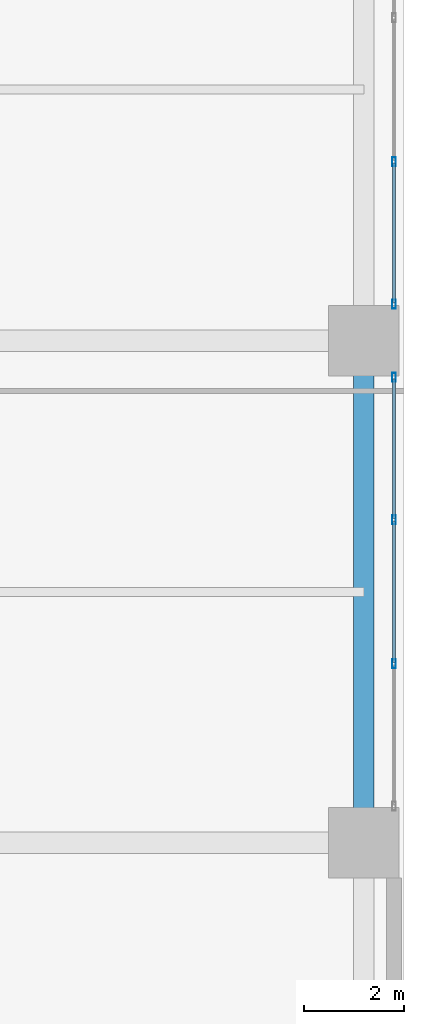
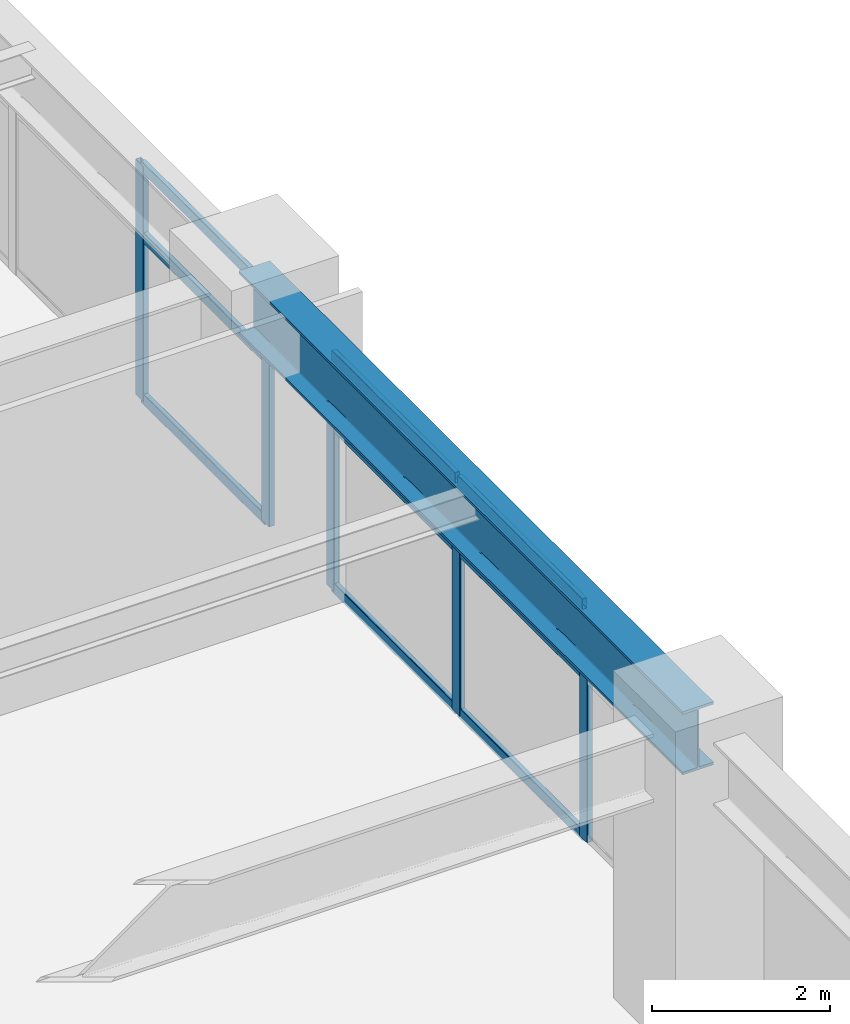
# One storey, part 15 of 28: 14 members, 1 beam, 2 elements without a shape of their own.
"""IFC4 building model written with IfcOpenShell, lengths in metres."""

from ifc_helpers import new_model, si_unit, direction, frame, origin, origin_2d, place, context, subcontext, project, spatial, hollow_rectangle, i_section, extrude, material, layer, layer_set, material_profile, profile_set, type_object, element, aggregate, save


model = new_model("IFC4")

# Units and contexts
model_context = context("Model", 3, precision=1e-05, world=origin(), true_north=direction((0.0, 1.0)))
body_context = subcontext(model_context, "Body", "Model", "MODEL_VIEW")
ifc_project = project(units=[si_unit("LENGTHUNIT", "METRE"), si_unit("AREAUNIT", "SQUARE_METRE"), si_unit("VOLUMEUNIT", "CUBIC_METRE"), si_unit("PLANEANGLEUNIT", "RADIAN"), si_unit("MASSUNIT", "GRAM", prefix="KILO")], contexts=[model_context])

# Site, building, storey
site_placement = place(None, origin())
site = spatial("IfcSite", under=ifc_project, at=site_placement, CompositionType="ELEMENT")
building_placement = place(site_placement, origin())
building = spatial("IfcBuilding", under=site, at=building_placement, Name="Soratama Intermodal Tower", CompositionType="ELEMENT")
storey_placement = place(building_placement, frame((0.0, 0.0, 16.199951171875)))
storey = spatial("IfcBuildingStorey", under=building, at=storey_placement, Name="L03", CompositionType="ELEMENT", Elevation=16.199951171875)

# Beam
ifc_material_1 = material(Name="Structural steel ASTM A992 Grade 50", Category="steel")
ifc_material_profile_1 = material_profile(ifc_material_1, i_section(OverallWidth=0.403076171875, OverallDepth=0.867919921875, WebThickness=0.02099609375, FlangeThickness=0.03564453125, FilletRadius=0.01806640625, at=origin_2d()), Name="W33X241")
ifc_profile_set_1 = profile_set([ifc_material_profile_1], Name="Structural steel ASTM A992 Grade 50")
beam_type = type_object("IfcBeamType", Name="BM-POD-EXT-W33", PredefinedType="BEAM", material=ifc_profile_set_1)
beam_placement = place(storey_placement, frame((83.199951171875, 15.0, 3.74609375), z_axis=(0.0, 1.0, 0.0), x_axis=(-1.0, 0.0, 0.0)))
element("IfcBeam", 1, at=beam_placement, inside=storey, type_object=beam_type, Name="L03 Station Girder Y4-2", PredefinedType="BEAM", context=body_context, shape_type="SweptSolid", body=[
    extrude(i_section(OverallWidth=0.403076171875, OverallDepth=0.867919921875, WebThickness=0.02099609375, FlangeThickness=0.03564453125, FilletRadius=0.01806640625, at=origin_2d()), origin(), (0.0, 0.0, 1.0), 10.0),
])

# Curtain wall, members
ifc_material_2 = material(Name="Double-glazed aluminium curtain wall", Category="aluminium")
ifc_layer = layer(ifc_material_2, 0.159912109375)
ifc_layer_set = layer_set([ifc_layer], Name="Double-glazed aluminium curtain wall")
curtain_wall_type = type_object("IfcCurtainWallType", Name="CW-SYS-1", PredefinedType="NOTDEFINED", material=ifc_layer_set)
curtain_wall_1_placement = place(storey_placement, origin())
curtain_wall_1 = element("IfcCurtainWall", 2, at=curtain_wall_1_placement, inside=storey, type_object=curtain_wall_type, Name="L03 Station Curtain Wall E1", PredefinedType="NOTDEFINED")
ifc_material_3 = material(Name="Anodised aluminium AA 6063-T6", Category="aluminium")
ifc_material_profile_2 = material_profile(ifc_material_3, hollow_rectangle(XDim=0.074951171875, YDim=0.179931640625, WallThickness=0.006103515625, InnerFilletRadius=0.006103515625, OuterFilletRadius=0.011962890625, at=origin_2d()), Name="CWM180X75X6")
ifc_profile_set_2 = profile_set([ifc_material_profile_2], Name="Anodised aluminium AA 6063-T6")
member_type_1 = type_object("IfcMemberType", Name="MT-CWM-1", PredefinedType="MULLION", material=ifc_profile_set_2)
member_1_placement = place(storey_placement, frame((83.800048828125, 18.566650390625, 0.0), z_axis=(0.0, 0.0, 1.0), x_axis=(-1.0, 0.0, 0.0)))
member_1 = element("IfcMember", 3, at=member_1_placement, type_object=member_type_1, Name="CW-1 mullion 2", PredefinedType="MULLION", context=body_context, shape_type="SweptSolid", body=[
    extrude(hollow_rectangle(XDim=0.074951171875, YDim=0.179931640625, WallThickness=0.006103515625, InnerFilletRadius=0.006103515625, OuterFilletRadius=0.011962890625, at=origin_2d()), origin(), (0.0, 0.0, 1.0), 3.236083984375),
])
member_2_placement = place(storey_placement, frame((83.800048828125, 21.433349609375, 0.0), z_axis=(0.0, 0.0, 1.0), x_axis=(-1.0, 0.0, 0.0)))
member_2 = element("IfcMember", 4, at=member_2_placement, type_object=member_type_1, Name="CW-1 mullion 3", PredefinedType="MULLION", context=body_context, shape_type="SweptSolid", body=[
    extrude(hollow_rectangle(XDim=0.074951171875, YDim=0.179931640625, WallThickness=0.006103515625, InnerFilletRadius=0.006103515625, OuterFilletRadius=0.011962890625, at=origin_2d()), origin(), (0.0, 0.0, 1.0), 3.236083984375),
])
member_3_placement = place(storey_placement, frame((83.800048828125, 24.27001953125, 0.0), z_axis=(0.0, 0.0, 1.0), x_axis=(-1.0, 0.0, 0.0)))
member_3 = element("IfcMember", 5, at=member_3_placement, type_object=member_type_1, Name="CW-1 mullion 4", PredefinedType="MULLION", context=body_context, shape_type="SweptSolid", body=[
    extrude(hollow_rectangle(XDim=0.074951171875, YDim=0.179931640625, WallThickness=0.006103515625, InnerFilletRadius=0.006103515625, OuterFilletRadius=0.011962890625, at=origin_2d()), origin(), (0.0, 0.0, 1.0), 3.236083984375),
])

curtain_wall_2_placement = place(storey_placement, origin())
curtain_wall_2 = element("IfcCurtainWall", 6, at=curtain_wall_2_placement, inside=storey, type_object=curtain_wall_type, Name="L03 Station Curtain Wall E2", PredefinedType="NOTDEFINED")
member_4_placement = place(storey_placement, frame((83.800048828125, 25.72998046875, 0.0), z_axis=(0.0, 0.0, 1.0), x_axis=(-1.0, 0.0, 0.0)))
member_4 = element("IfcMember", 7, at=member_4_placement, type_object=member_type_1, Name="CW-1 mullion 1", PredefinedType="MULLION", context=body_context, shape_type="SweptSolid", body=[
    extrude(hollow_rectangle(XDim=0.074951171875, YDim=0.179931640625, WallThickness=0.006103515625, InnerFilletRadius=0.006103515625, OuterFilletRadius=0.011962890625, at=origin_2d()), origin(), (0.0, 0.0, 1.0), 3.236083984375),
])
member_5_placement = place(storey_placement, frame((83.800048828125, 28.566650390625, 0.0), z_axis=(0.0, 0.0, 1.0), x_axis=(-1.0, 0.0, 0.0)))
member_5 = element("IfcMember", 8, at=member_5_placement, type_object=member_type_1, Name="CW-1 mullion 2", PredefinedType="MULLION", context=body_context, shape_type="SweptSolid", body=[
    extrude(hollow_rectangle(XDim=0.074951171875, YDim=0.179931640625, WallThickness=0.006103515625, InnerFilletRadius=0.006103515625, OuterFilletRadius=0.011962890625, at=origin_2d()), origin(), (0.0, 0.0, 1.0), 3.236083984375),
])

# Member
ifc_material_4 = material(Name="Anodised aluminium AA 6063-T6", Category="aluminium")
ifc_material_profile_3 = material_profile(ifc_material_4, hollow_rectangle(XDim=0.06494140625, YDim=0.14990234375, WallThickness=0.0048828125, InnerFilletRadius=0.0048828125, OuterFilletRadius=0.010009765625, at=origin_2d()), Name="CWT150X65X5")
ifc_profile_set_3 = profile_set([ifc_material_profile_3], Name="Anodised aluminium AA 6063-T6")
member_type_2 = type_object("IfcMemberType", Name="TT-CWT-1", PredefinedType="USERDEFINED", material=ifc_profile_set_3)
member_6_placement = place(storey_placement, frame((83.800048828125, 18.5966796875, 0.030029296875), z_axis=(0.0, 1.0, 0.0), x_axis=(-1.0, 0.0, 0.0)))
member_6 = element("IfcMember", 9, at=member_6_placement, type_object=member_type_2, Name="CW-1 transom 2.1", ObjectType="TRANSOM", PredefinedType="USERDEFINED", context=body_context, shape_type="SweptSolid", body=[
    extrude(hollow_rectangle(XDim=0.06494140625, YDim=0.14990234375, WallThickness=0.0048828125, InnerFilletRadius=0.0048828125, OuterFilletRadius=0.010009765625, at=origin_2d()), origin(), (0.0, 0.0, 1.0), 2.806640625),
])

member_7_placement = place(storey_placement, frame((83.800048828125, 18.5966796875, 2.25), z_axis=(0.0, 1.0, 0.0), x_axis=(-1.0, 0.0, 0.0)))
member_7 = element("IfcMember", 10, at=member_7_placement, type_object=member_type_2, Name="CW-1 transom 2.2", ObjectType="TRANSOM", PredefinedType="USERDEFINED", context=body_context, shape_type="SweptSolid", body=[
    extrude(hollow_rectangle(XDim=0.06494140625, YDim=0.14990234375, WallThickness=0.0048828125, InnerFilletRadius=0.0048828125, OuterFilletRadius=0.010009765625, at=origin_2d()), origin(), (0.0, 0.0, 1.0), 2.806640625),
])

member_8_placement = place(storey_placement, frame((83.800048828125, 18.5966796875, 3.2060546875), z_axis=(0.0, 1.0, 0.0), x_axis=(-1.0, 0.0, 0.0)))
member_8 = element("IfcMember", 11, at=member_8_placement, type_object=member_type_2, Name="CW-1 transom 2.3", ObjectType="TRANSOM", PredefinedType="USERDEFINED", context=body_context, shape_type="SweptSolid", body=[
    extrude(hollow_rectangle(XDim=0.06494140625, YDim=0.14990234375, WallThickness=0.0048828125, InnerFilletRadius=0.0048828125, OuterFilletRadius=0.010009765625, at=origin_2d()), origin(), (0.0, 0.0, 1.0), 2.806640625),
])

member_9_placement = place(storey_placement, frame((83.800048828125, 21.46337890625, 0.030029296875), z_axis=(0.0, 1.0, 0.0), x_axis=(-1.0, 0.0, 0.0)))
member_9 = element("IfcMember", 12, at=member_9_placement, type_object=member_type_2, Name="CW-1 transom 3.1", ObjectType="TRANSOM", PredefinedType="USERDEFINED", context=body_context, shape_type="SweptSolid", body=[
    extrude(hollow_rectangle(XDim=0.06494140625, YDim=0.14990234375, WallThickness=0.0048828125, InnerFilletRadius=0.0048828125, OuterFilletRadius=0.010009765625, at=origin_2d()), origin(), (0.0, 0.0, 1.0), 2.776611328125),
])

member_10_placement = place(storey_placement, frame((83.800048828125, 21.46337890625, 2.25), z_axis=(0.0, 1.0, 0.0), x_axis=(-1.0, 0.0, 0.0)))
member_10 = element("IfcMember", 13, at=member_10_placement, type_object=member_type_2, Name="CW-1 transom 3.2", ObjectType="TRANSOM", PredefinedType="USERDEFINED", context=body_context, shape_type="SweptSolid", body=[
    extrude(hollow_rectangle(XDim=0.06494140625, YDim=0.14990234375, WallThickness=0.0048828125, InnerFilletRadius=0.0048828125, OuterFilletRadius=0.010009765625, at=origin_2d()), origin(), (0.0, 0.0, 1.0), 2.776611328125),
])

member_11_placement = place(storey_placement, frame((83.800048828125, 21.46337890625, 3.2060546875), z_axis=(0.0, 1.0, 0.0), x_axis=(-1.0, 0.0, 0.0)))
member_11 = element("IfcMember", 14, at=member_11_placement, type_object=member_type_2, Name="CW-1 transom 3.3", ObjectType="TRANSOM", PredefinedType="USERDEFINED", context=body_context, shape_type="SweptSolid", body=[
    extrude(hollow_rectangle(XDim=0.06494140625, YDim=0.14990234375, WallThickness=0.0048828125, InnerFilletRadius=0.0048828125, OuterFilletRadius=0.010009765625, at=origin_2d()), origin(), (0.0, 0.0, 1.0), 2.776611328125),
])

aggregate(curtain_wall_1, [member_1, member_2, member_3, member_6, member_7, member_8, member_9, member_10, member_11])

member_12_placement = place(storey_placement, frame((83.800048828125, 25.760009765625, 0.030029296875), z_axis=(0.0, 1.0, 0.0), x_axis=(-1.0, 0.0, 0.0)))
member_12 = element("IfcMember", 15, at=member_12_placement, type_object=member_type_2, Name="CW-1 transom 1.1", ObjectType="TRANSOM", PredefinedType="USERDEFINED", context=body_context, shape_type="SweptSolid", body=[
    extrude(hollow_rectangle(XDim=0.06494140625, YDim=0.14990234375, WallThickness=0.0048828125, InnerFilletRadius=0.0048828125, OuterFilletRadius=0.010009765625, at=origin_2d()), origin(), (0.0, 0.0, 1.0), 2.776611328125),
])

member_13_placement = place(storey_placement, frame((83.800048828125, 25.760009765625, 2.25), z_axis=(0.0, 1.0, 0.0), x_axis=(-1.0, 0.0, 0.0)))
member_13 = element("IfcMember", 16, at=member_13_placement, type_object=member_type_2, Name="CW-1 transom 1.2", ObjectType="TRANSOM", PredefinedType="USERDEFINED", context=body_context, shape_type="SweptSolid", body=[
    extrude(hollow_rectangle(XDim=0.06494140625, YDim=0.14990234375, WallThickness=0.0048828125, InnerFilletRadius=0.0048828125, OuterFilletRadius=0.010009765625, at=origin_2d()), origin(), (0.0, 0.0, 1.0), 2.776611328125),
])

member_14_placement = place(storey_placement, frame((83.800048828125, 25.760009765625, 3.2060546875), z_axis=(0.0, 1.0, 0.0), x_axis=(-1.0, 0.0, 0.0)))
member_14 = element("IfcMember", 17, at=member_14_placement, type_object=member_type_2, Name="CW-1 transom 1.3", ObjectType="TRANSOM", PredefinedType="USERDEFINED", context=body_context, shape_type="SweptSolid", body=[
    extrude(hollow_rectangle(XDim=0.06494140625, YDim=0.14990234375, WallThickness=0.0048828125, InnerFilletRadius=0.0048828125, OuterFilletRadius=0.010009765625, at=origin_2d()), origin(), (0.0, 0.0, 1.0), 2.776611328125),
])

aggregate(curtain_wall_2, [member_4, member_5, member_12, member_13, member_14])

save(model, "model.ifc")
